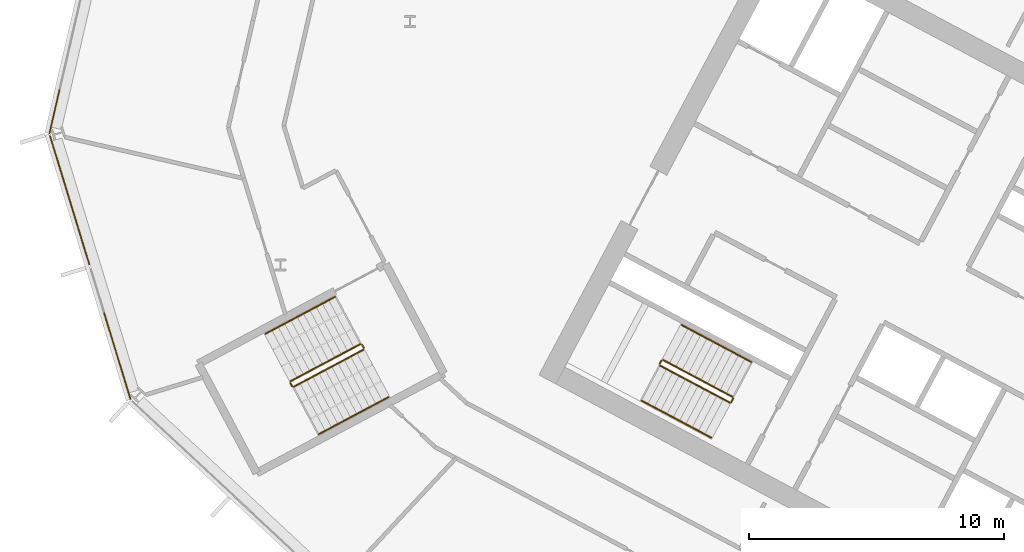
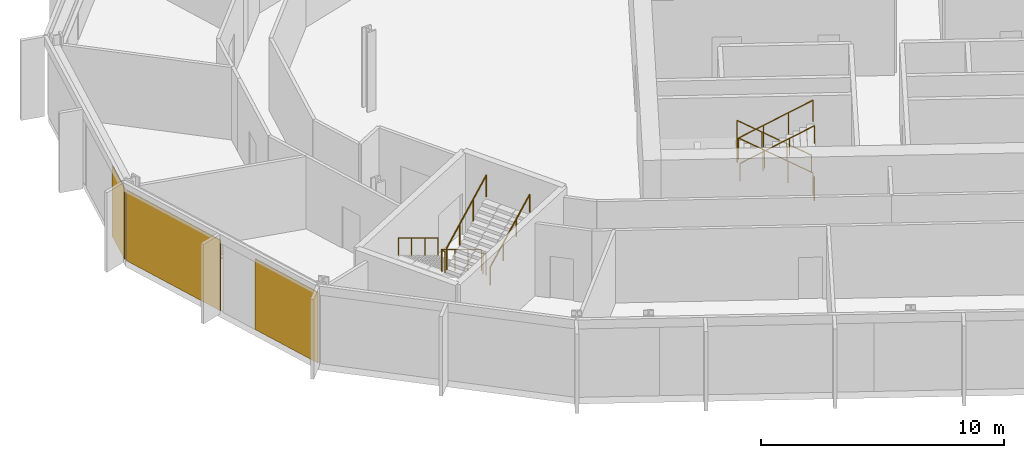
# One storey, part 21 of 28: 12 railings, 3 coverings, 2 elements without a shape of their own.
"""IFC4 building model written with IfcOpenShell, lengths in metres."""

from ifc_helpers import new_model, si_unit, direction, frame, origin, origin_2d, place, context, subcontext, project, spatial, polyline, rectangle, outline, extrude, material, layer, layer_set, type_object, element, aggregate, save


model = new_model("IFC4")

# Units and contexts
model_context = context("Model", 3, precision=1e-05, world=origin(), true_north=direction((0.0, 1.0)))
body_context = subcontext(model_context, "Body", "Model", "MODEL_VIEW")
ifc_project = project(units=[si_unit("LENGTHUNIT", "METRE"), si_unit("AREAUNIT", "SQUARE_METRE"), si_unit("VOLUMEUNIT", "CUBIC_METRE"), si_unit("PLANEANGLEUNIT", "RADIAN"), si_unit("MASSUNIT", "GRAM", prefix="KILO")], contexts=[model_context])

# Site, building, storey
site_placement = place(None, origin())
site = spatial("IfcSite", under=ifc_project, at=site_placement, CompositionType="ELEMENT")
building_placement = place(site_placement, origin())
building = spatial("IfcBuilding", under=site, at=building_placement, Name="Cormorant Relay Tower", CompositionType="ELEMENT")
storey_placement = place(building_placement, frame((0.0, 0.0, 134.199951171875)))
storey = spatial("IfcBuildingStorey", under=building, at=storey_placement, Name="L27", CompositionType="ELEMENT", Elevation=134.199951171875)

# Curtain wall, covering
ifc_material_1 = material(Name="Aluminium 6063-T6 anodised bronze", Category="aluminium")
ifc_layer_1 = layer(ifc_material_1, 0.199951171875)
ifc_layer_set_1 = layer_set([ifc_layer_1], Name="CW1 unitised bronze curtain wall with vertical fins")
curtain_wall_type = type_object("IfcCurtainWallType", Name="CW1 unitised bronze curtain wall with vertical fins", PredefinedType="NOTDEFINED", material=ifc_layer_set_1)
curtain_wall_1_placement = place(storey_placement, origin())
curtain_wall_1 = element("IfcCurtainWall", 1, at=curtain_wall_1_placement, inside=storey, type_object=curtain_wall_type, Name="CW1 curtain wall 13", PredefinedType="NOTDEFINED")
ifc_material_2 = material(Name="Pale bronze anodised aluminium insulated panel", Category="aluminium")
ifc_layer_2 = layer(ifc_material_2, 0.0400390625)
ifc_layer_set_2 = layer_set([ifc_layer_2], Name="CW1 pale bronze insulated panel 40")
covering_type = type_object("IfcCoveringType", Name="CW1 pale bronze insulated panel 40", PredefinedType="CLADDING", material=ifc_layer_set_2)
covering_1_placement = place(storey_placement, frame((-60.54150390625, 21.25537109375, 0.0), z_axis=(0.0, 0.0, 1.0), x_axis=(-0.224951054344, -0.974370064785, 0.0)))
covering_1 = element("IfcCovering", 2, at=covering_1_placement, type_object=covering_type, Name="CW1 panel S02", PredefinedType="CLADDING", context=body_context, shape_type="SweptSolid", body=[
    extrude(rectangle(XDim=1.76025390625, YDim=0.0400390625, at=origin_2d()), origin(), (0.0, 0.0, 1.0), 3.550048828125),
])
aggregate(curtain_wall_1, [covering_1])

# Curtain wall, coverings
curtain_wall_2_placement = place(storey_placement, origin())
curtain_wall_2 = element("IfcCurtainWall", 3, at=curtain_wall_2_placement, inside=storey, type_object=curtain_wall_type, Name="CW1 curtain wall 14", PredefinedType="NOTDEFINED")
covering_2_placement = place(storey_placement, frame((-59.9443359375, 17.78857421875, 0.0), z_axis=(0.0, 0.0, 1.0), x_axis=(0.292371704723, -0.956304755963, 0.0)))
covering_2 = element("IfcCovering", 4, at=covering_2_placement, type_object=covering_type, Name="CW1 panel S00", PredefinedType="CLADDING", context=body_context, shape_type="SweptSolid", body=[
    extrude(rectangle(XDim=5.28515625, YDim=0.0400390625, at=origin_2d()), origin(), (0.0, 0.0, 1.0), 3.550048828125),
])
covering_3_placement = place(storey_placement, frame((-58.081298828125, 11.6943359375, 0.0), z_axis=(0.0, 0.0, 1.0), x_axis=(0.292371704723, -0.956304755963, 0.0)))
covering_3 = element("IfcCovering", 5, at=covering_3_placement, type_object=covering_type, Name="CW1 panel S02", PredefinedType="CLADDING", context=body_context, shape_type="SweptSolid", body=[
    extrude(rectangle(XDim=3.560302734375, YDim=0.0400390625, at=origin_2d()), origin(), (0.0, 0.0, 1.0), 3.550048828125),
])
aggregate(curtain_wall_2, [covering_2, covering_3])

# Railings
ifc_material_3 = material(Name="Steel ASTM A572 Grade 50 (Fy 345 MPa)", Category="steel")
railing_type_1 = type_object("IfcRailingType", Name="Stair guard 1100", PredefinedType="GUARDRAIL", material=ifc_material_3)
railing_1_placement = place(storey_placement, frame((-33.9921875, 10.08935546875, 0.166748046875)))
element("IfcRailing", 6, at=railing_1_placement, inside=storey, type_object=railing_type_1, Name="L27 A2 stair guard 1", PredefinedType="GUARDRAIL", context=body_context, shape_type="SweptSolid", body=[
    extrude(outline(polyline([(0.022216796875, 0.00927734375), (0.00927734375, 0.022216796875), (-0.00927734375, 0.022216796875), (-0.022216796875, 0.00927734375), (-0.022216796875, -0.00927734375), (-0.00927734375, -0.022216796875), (0.00927734375, -0.022216796875), (0.022216796875, -0.00927734375), (0.022216796875, 0.00927734375)])), frame((0.0, 0.0, 1.076171875), z_axis=(-0.758713656843, 0.403434867536, 0.511462505542), x_axis=(-0.469489399267, -0.882938108802, 0.0)), (0.0, 0.0, 1.0), 3.584228515625),
    extrude(outline(polyline([(0.019287109375, 0.008056640625), (0.008056640625, 0.019287109375), (-0.008056640625, 0.019287109375), (-0.019287109375, 0.008056640625), (-0.019287109375, -0.008056640625), (-0.008056640625, -0.019287109375), (0.008056640625, -0.019287109375), (0.019287109375, -0.008056640625), (0.019287109375, 0.008056640625)])), origin(), (0.0, 0.0, 1.0), 1.052001953125),
    extrude(outline(polyline([(0.019287109375, 0.008056640625), (0.008056640625, 0.019287109375), (-0.008056640625, 0.019287109375), (-0.019287109375, 0.008056640625), (-0.019287109375, -0.008056640625), (-0.008056640625, -0.019287109375), (0.008056640625, -0.019287109375), (0.019287109375, -0.008056640625), (0.019287109375, 0.008056640625)])), frame((-0.906494140625, 0.48193359375, 0.611083984375)), (0.0, 0.0, 1.0), 1.052001953125),
    extrude(outline(polyline([(0.019287109375, 0.008056640625), (0.008056640625, 0.019287109375), (-0.008056640625, 0.019287109375), (-0.019287109375, 0.008056640625), (-0.019287109375, -0.008056640625), (-0.008056640625, -0.019287109375), (0.008056640625, -0.019287109375), (0.019287109375, -0.008056640625), (0.019287109375, 0.008056640625)])), frame((-1.81298828125, 0.964111328125, 1.22216796875)), (0.0, 0.0, 1.0), 1.052001953125),
    extrude(outline(polyline([(0.019287109375, 0.008056640625), (0.008056640625, 0.019287109375), (-0.008056640625, 0.019287109375), (-0.019287109375, 0.008056640625), (-0.019287109375, -0.008056640625), (-0.008056640625, -0.019287109375), (0.008056640625, -0.019287109375), (0.019287109375, -0.008056640625), (0.019287109375, 0.008056640625)])), frame((-2.719482421875, 1.446044921875, 1.833251953125)), (0.0, 0.0, 1.0), 1.052001953125),
])
railing_2_placement = place(storey_placement, frame((-36.779296875, 11.5146484375, 2.0)))
element("IfcRailing", 7, at=railing_2_placement, inside=storey, type_object=railing_type_1, Name="L27 A2 stair guard 2", PredefinedType="GUARDRAIL", context=body_context, shape_type="SweptSolid", body=[
    extrude(outline(polyline([(0.022216796875, 0.00927734375), (0.00927734375, 0.022216796875), (-0.00927734375, 0.022216796875), (-0.022216796875, 0.00927734375), (-0.022216796875, -0.00927734375), (-0.00927734375, -0.022216796875), (0.00927734375, -0.022216796875), (0.022216796875, -0.00927734375), (0.022216796875, 0.00927734375)])), frame((0.0, 0.0, 1.076171875), z_axis=(-0.469234640946, -0.883073525669, 0.0), x_axis=(0.883073525669, -0.469234640946, 0.0)), (0.0, 0.0, 1.0), 0.14990234375),
    extrude(outline(polyline([(0.019287109375, 0.008056640625), (0.008056640625, 0.019287109375), (-0.008056640625, 0.019287109375), (-0.019287109375, 0.008056640625), (-0.019287109375, -0.008056640625), (-0.008056640625, -0.019287109375), (0.008056640625, -0.019287109375), (0.019287109375, -0.008056640625), (0.019287109375, 0.008056640625)])), origin(), (0.0, 0.0, 1.0), 1.052001953125),
    extrude(outline(polyline([(0.019287109375, 0.008056640625), (0.008056640625, 0.019287109375), (-0.008056640625, 0.019287109375), (-0.019287109375, 0.008056640625), (-0.019287109375, -0.008056640625), (-0.008056640625, -0.019287109375), (0.008056640625, -0.019287109375), (0.019287109375, -0.008056640625), (0.019287109375, 0.008056640625)])), frame((-0.0703125, -0.13232421875, 0.0)), (0.0, 0.0, 1.0), 1.052001953125),
])
railing_3_placement = place(storey_placement, frame((-36.8291015625, 11.314697265625, 2.166748046875)))
element("IfcRailing", 8, at=railing_3_placement, inside=storey, type_object=railing_type_1, Name="L27 A2 stair guard 3", PredefinedType="GUARDRAIL", context=body_context, shape_type="SweptSolid", body=[
    extrude(outline(polyline([(0.022216796875, 0.00927734375), (0.00927734375, 0.022216796875), (-0.00927734375, 0.022216796875), (-0.022216796875, 0.00927734375), (-0.022216796875, -0.00927734375), (-0.00927734375, -0.022216796875), (0.00927734375, -0.022216796875), (0.022216796875, -0.00927734375), (0.022216796875, 0.00927734375)])), frame((0.0, 0.0, 1.076171875), z_axis=(0.758713656843, -0.403434867536, 0.511462505542), x_axis=(0.469489399267, 0.882938108802, 0.0)), (0.0, 0.0, 1.0), 3.584228515625),
    extrude(outline(polyline([(0.019287109375, 0.008056640625), (0.008056640625, 0.019287109375), (-0.008056640625, 0.019287109375), (-0.019287109375, 0.008056640625), (-0.019287109375, -0.008056640625), (-0.008056640625, -0.019287109375), (0.008056640625, -0.019287109375), (0.019287109375, -0.008056640625), (0.019287109375, 0.008056640625)])), origin(), (0.0, 0.0, 1.0), 1.052001953125),
    extrude(outline(polyline([(0.019287109375, 0.008056640625), (0.008056640625, 0.019287109375), (-0.008056640625, 0.019287109375), (-0.019287109375, 0.008056640625), (-0.019287109375, -0.008056640625), (-0.008056640625, -0.019287109375), (0.008056640625, -0.019287109375), (0.019287109375, -0.008056640625), (0.019287109375, 0.008056640625)])), frame((0.906494140625, -0.48193359375, 0.611083984375)), (0.0, 0.0, 1.0), 1.052001953125),
    extrude(outline(polyline([(0.019287109375, 0.008056640625), (0.008056640625, 0.019287109375), (-0.008056640625, 0.019287109375), (-0.019287109375, 0.008056640625), (-0.019287109375, -0.008056640625), (-0.008056640625, -0.019287109375), (0.008056640625, -0.019287109375), (0.019287109375, -0.008056640625), (0.019287109375, 0.008056640625)])), frame((1.81298828125, -0.964111328125, 1.22216796875)), (0.0, 0.0, 1.0), 1.052001953125),
    extrude(outline(polyline([(0.019287109375, 0.008056640625), (0.008056640625, 0.019287109375), (-0.008056640625, 0.019287109375), (-0.019287109375, 0.008056640625), (-0.019287109375, -0.008056640625), (-0.008056640625, -0.019287109375), (0.008056640625, -0.019287109375), (0.019287109375, -0.008056640625), (0.019287109375, 0.008056640625)])), frame((2.719482421875, -1.446044921875, 1.833251953125)), (0.0, 0.0, 1.0), 1.052001953125),
])
railing_4_placement = place(storey_placement, frame((-33.971435546875, 10.021728515625, 0.0)))
element("IfcRailing", 9, at=railing_4_placement, inside=storey, type_object=railing_type_1, Name="L27 A2 stair guard 4", PredefinedType="GUARDRAIL", context=body_context, shape_type="SweptSolid", body=[
    extrude(outline(polyline([(0.022216796875, 0.00927734375), (0.00927734375, 0.022216796875), (-0.00927734375, 0.022216796875), (-0.022216796875, 0.00927734375), (-0.022216796875, -0.00927734375), (-0.00927734375, -0.022216796875), (0.00927734375, -0.022216796875), (0.022216796875, -0.00927734375), (0.022216796875, 0.00927734375)])), frame((0.0, 0.0, 1.076171875), z_axis=(-0.470503732759, -0.882398003998, 0.0), x_axis=(0.882398003998, -0.470503732759, 0.0)), (0.0, 0.0, 1.0), 0.14990234375),
    extrude(outline(polyline([(0.019287109375, 0.008056640625), (0.008056640625, 0.019287109375), (-0.008056640625, 0.019287109375), (-0.019287109375, 0.008056640625), (-0.019287109375, -0.008056640625), (-0.008056640625, -0.019287109375), (0.008056640625, -0.019287109375), (0.019287109375, -0.008056640625), (0.019287109375, 0.008056640625)])), origin(), (0.0, 0.0, 1.0), 1.052001953125),
    extrude(outline(polyline([(0.019287109375, 0.008056640625), (0.008056640625, 0.019287109375), (-0.008056640625, 0.019287109375), (-0.019287109375, 0.008056640625), (-0.019287109375, -0.008056640625), (-0.008056640625, -0.019287109375), (0.008056640625, -0.019287109375), (0.019287109375, -0.008056640625), (0.019287109375, 0.008056640625)])), frame((-0.070556640625, -0.13232421875, 0.0)), (0.0, 0.0, 1.0), 1.052001953125),
])
railing_5_placement = place(storey_placement, frame((-48.5693359375, 12.155517578125, 0.166748046875)))
element("IfcRailing", 10, at=railing_5_placement, inside=storey, type_object=railing_type_1, Name="L27 RP1 stair guard 1", PredefinedType="GUARDRAIL", context=body_context, shape_type="SweptSolid", body=[
    extrude(outline(polyline([(0.022216796875, 0.00927734375), (0.00927734375, 0.022216796875), (-0.00927734375, 0.022216796875), (-0.022216796875, 0.00927734375), (-0.022216796875, -0.00927734375), (-0.00927734375, -0.022216796875), (0.00927734375, -0.022216796875), (0.022216796875, -0.00927734375), (0.022216796875, 0.00927734375)])), frame((0.0, 0.0, 1.076171875), z_axis=(-0.758713656843, -0.403434867536, 0.511462505542), x_axis=(0.469489399267, -0.882938108802, 0.0)), (0.0, 0.0, 1.0), 3.584228515625),
    extrude(outline(polyline([(0.019287109375, 0.008056640625), (0.008056640625, 0.019287109375), (-0.008056640625, 0.019287109375), (-0.019287109375, 0.008056640625), (-0.019287109375, -0.008056640625), (-0.008056640625, -0.019287109375), (0.008056640625, -0.019287109375), (0.019287109375, -0.008056640625), (0.019287109375, 0.008056640625)])), origin(), (0.0, 0.0, 1.0), 1.052001953125),
    extrude(outline(polyline([(0.019287109375, 0.008056640625), (0.008056640625, 0.019287109375), (-0.008056640625, 0.019287109375), (-0.019287109375, 0.008056640625), (-0.019287109375, -0.008056640625), (-0.008056640625, -0.019287109375), (0.008056640625, -0.019287109375), (0.019287109375, -0.008056640625), (0.019287109375, 0.008056640625)])), frame((-0.906494140625, -0.48193359375, 0.611083984375)), (0.0, 0.0, 1.0), 1.052001953125),
    extrude(outline(polyline([(0.019287109375, 0.008056640625), (0.008056640625, 0.019287109375), (-0.008056640625, 0.019287109375), (-0.019287109375, 0.008056640625), (-0.019287109375, -0.008056640625), (-0.008056640625, -0.019287109375), (0.008056640625, -0.019287109375), (0.019287109375, -0.008056640625), (0.019287109375, 0.008056640625)])), frame((-1.81298828125, -0.964111328125, 1.22216796875)), (0.0, 0.0, 1.0), 1.052001953125),
    extrude(outline(polyline([(0.019287109375, 0.008056640625), (0.008056640625, 0.019287109375), (-0.008056640625, 0.019287109375), (-0.019287109375, 0.008056640625), (-0.019287109375, -0.008056640625), (-0.008056640625, -0.019287109375), (0.008056640625, -0.019287109375), (0.019287109375, -0.008056640625), (0.019287109375, 0.008056640625)])), frame((-2.719482421875, -1.446044921875, 1.833251953125)), (0.0, 0.0, 1.0), 1.052001953125),
])
railing_6_placement = place(storey_placement, frame((-51.3095703125, 10.641845703125, 2.0)))
element("IfcRailing", 11, at=railing_6_placement, inside=storey, type_object=railing_type_1, Name="L27 RP1 stair guard 2", PredefinedType="GUARDRAIL", context=body_context, shape_type="SweptSolid", body=[
    extrude(outline(polyline([(0.022216796875, 0.00927734375), (0.00927734375, 0.022216796875), (-0.00927734375, 0.022216796875), (-0.022216796875, 0.00927734375), (-0.022216796875, -0.00927734375), (-0.00927734375, -0.022216796875), (0.00927734375, -0.022216796875), (0.022216796875, -0.00927734375), (0.022216796875, 0.00927734375)])), frame((0.0, 0.0, 1.076171875), z_axis=(0.469828648786, -0.882757634224, 0.0), x_axis=(0.882757634224, 0.469828648786, 0.0)), (0.0, 0.0, 1.0), 0.150146484375),
    extrude(outline(polyline([(0.019287109375, 0.008056640625), (0.008056640625, 0.019287109375), (-0.008056640625, 0.019287109375), (-0.019287109375, 0.008056640625), (-0.019287109375, -0.008056640625), (-0.008056640625, -0.019287109375), (0.008056640625, -0.019287109375), (0.019287109375, -0.008056640625), (0.019287109375, 0.008056640625)])), origin(), (0.0, 0.0, 1.0), 1.052001953125),
    extrude(outline(polyline([(0.019287109375, 0.008056640625), (0.008056640625, 0.019287109375), (-0.008056640625, 0.019287109375), (-0.019287109375, 0.008056640625), (-0.019287109375, -0.008056640625), (-0.008056640625, -0.019287109375), (0.008056640625, -0.019287109375), (0.019287109375, -0.008056640625), (0.019287109375, 0.008056640625)])), frame((0.070556640625, -0.132568359375, 0.0)), (0.0, 0.0, 1.0), 1.052001953125),
])
railing_7_placement = place(storey_placement, frame((-51.17138671875, 10.48876953125, 2.166748046875)))
element("IfcRailing", 12, at=railing_7_placement, inside=storey, type_object=railing_type_1, Name="L27 RP1 stair guard 3", PredefinedType="GUARDRAIL", context=body_context, shape_type="SweptSolid", body=[
    extrude(outline(polyline([(0.022216796875, 0.00927734375), (0.00927734375, 0.022216796875), (-0.00927734375, 0.022216796875), (-0.022216796875, 0.00927734375), (-0.022216796875, -0.00927734375), (-0.00927734375, -0.022216796875), (0.00927734375, -0.022216796875), (0.022216796875, -0.00927734375), (0.022216796875, 0.00927734375)])), frame((0.0, 0.0, 1.076171875), z_axis=(0.758734504837, 0.403377838015, 0.511476559549), x_axis=(-0.469427602063, 0.882970965786, 0.0)), (0.0, 0.0, 1.0), 3.584228515625),
    extrude(outline(polyline([(0.019287109375, 0.008056640625), (0.008056640625, 0.019287109375), (-0.008056640625, 0.019287109375), (-0.019287109375, 0.008056640625), (-0.019287109375, -0.008056640625), (-0.008056640625, -0.019287109375), (0.008056640625, -0.019287109375), (0.019287109375, -0.008056640625), (0.019287109375, 0.008056640625)])), origin(), (0.0, 0.0, 1.0), 1.052001953125),
    extrude(outline(polyline([(0.019287109375, 0.008056640625), (0.008056640625, 0.019287109375), (-0.008056640625, 0.019287109375), (-0.019287109375, 0.008056640625), (-0.019287109375, -0.008056640625), (-0.008056640625, -0.019287109375), (0.008056640625, -0.019287109375), (0.019287109375, -0.008056640625), (0.019287109375, 0.008056640625)])), frame((0.906494140625, 0.48193359375, 0.611083984375)), (0.0, 0.0, 1.0), 1.052001953125),
    extrude(outline(polyline([(0.019287109375, 0.008056640625), (0.008056640625, 0.019287109375), (-0.008056640625, 0.019287109375), (-0.019287109375, 0.008056640625), (-0.019287109375, -0.008056640625), (-0.008056640625, -0.019287109375), (0.008056640625, -0.019287109375), (0.019287109375, -0.008056640625), (0.019287109375, 0.008056640625)])), frame((1.81298828125, 0.9638671875, 1.22216796875)), (0.0, 0.0, 1.0), 1.052001953125),
    extrude(outline(polyline([(0.019287109375, 0.008056640625), (0.008056640625, 0.019287109375), (-0.008056640625, 0.019287109375), (-0.019287109375, 0.008056640625), (-0.019287109375, -0.008056640625), (-0.008056640625, -0.019287109375), (0.008056640625, -0.019287109375), (0.019287109375, -0.008056640625), (0.019287109375, 0.008056640625)])), frame((2.719482421875, 1.44580078125, 1.833251953125)), (0.0, 0.0, 1.0), 1.052001953125),
])
railing_8_placement = place(storey_placement, frame((-48.501708984375, 12.134765625, 0.0)))
element("IfcRailing", 13, at=railing_8_placement, inside=storey, type_object=railing_type_1, Name="L27 RP1 stair guard 4", PredefinedType="GUARDRAIL", context=body_context, shape_type="SweptSolid", body=[
    extrude(outline(polyline([(0.022216796875, 0.00927734375), (0.00927734375, 0.022216796875), (-0.00927734375, 0.022216796875), (-0.022216796875, 0.00927734375), (-0.022216796875, -0.00927734375), (-0.00927734375, -0.022216796875), (0.00927734375, -0.022216796875), (0.022216796875, -0.00927734375), (0.022216796875, 0.00927734375)])), frame((0.0, 0.0, 1.076171875), z_axis=(0.46856034887, -0.8834314911, 0.0), x_axis=(0.8834314911, 0.46856034887, 0.0)), (0.0, 0.0, 1.0), 0.150146484375),
    extrude(outline(polyline([(0.019287109375, 0.008056640625), (0.008056640625, 0.019287109375), (-0.008056640625, 0.019287109375), (-0.019287109375, 0.008056640625), (-0.019287109375, -0.008056640625), (-0.008056640625, -0.019287109375), (0.008056640625, -0.019287109375), (0.019287109375, -0.008056640625), (0.019287109375, 0.008056640625)])), origin(), (0.0, 0.0, 1.0), 1.052001953125),
    extrude(outline(polyline([(0.019287109375, 0.008056640625), (0.008056640625, 0.019287109375), (-0.008056640625, 0.019287109375), (-0.019287109375, 0.008056640625), (-0.019287109375, -0.008056640625), (-0.008056640625, -0.019287109375), (0.008056640625, -0.019287109375), (0.019287109375, -0.008056640625), (0.019287109375, 0.008056640625)])), frame((0.0703125, -0.132568359375, 0.0)), (0.0, 0.0, 1.0), 1.052001953125),
])
ifc_material_4 = material(Name="Steel ASTM A572 Grade 50 (Fy 345 MPa)", Category="steel")
railing_type_2 = type_object("IfcRailingType", Name="Stair handrail 900", PredefinedType="HANDRAIL", material=ifc_material_4)
railing_9_placement = place(storey_placement, frame((-33.264404296875, 11.4580078125, 0.166748046875)))
element("IfcRailing", 14, at=railing_9_placement, inside=storey, type_object=railing_type_2, Name="L27 A2 stair handrail 1", PredefinedType="HANDRAIL", context=body_context, shape_type="SweptSolid", body=[
    extrude(outline(polyline([(0.022216796875, 0.00927734375), (0.00927734375, 0.022216796875), (-0.00927734375, 0.022216796875), (-0.022216796875, 0.00927734375), (-0.022216796875, -0.00927734375), (-0.00927734375, -0.022216796875), (0.00927734375, -0.022216796875), (0.022216796875, -0.00927734375), (0.022216796875, 0.00927734375)])), frame((0.0, 0.0, 0.8759765625), z_axis=(-0.758734504837, 0.403377838015, 0.511476559549), x_axis=(-0.469427602063, -0.882970965786, 0.0)), (0.0, 0.0, 1.0), 3.584228515625),
    extrude(outline(polyline([(0.019287109375, 0.008056640625), (0.008056640625, 0.019287109375), (-0.008056640625, 0.019287109375), (-0.019287109375, 0.008056640625), (-0.019287109375, -0.008056640625), (-0.008056640625, -0.019287109375), (0.008056640625, -0.019287109375), (0.019287109375, -0.008056640625), (0.019287109375, 0.008056640625)])), origin(), (0.0, 0.0, 1.0), 0.851806640625),
    extrude(outline(polyline([(0.019287109375, 0.008056640625), (0.008056640625, 0.019287109375), (-0.008056640625, 0.019287109375), (-0.019287109375, 0.008056640625), (-0.019287109375, -0.008056640625), (-0.008056640625, -0.019287109375), (0.008056640625, -0.019287109375), (0.019287109375, -0.008056640625), (0.019287109375, 0.008056640625)])), frame((-0.906494140625, 0.48193359375, 0.611083984375)), (0.0, 0.0, 1.0), 0.851806640625),
    extrude(outline(polyline([(0.019287109375, 0.008056640625), (0.008056640625, 0.019287109375), (-0.008056640625, 0.019287109375), (-0.019287109375, 0.008056640625), (-0.019287109375, -0.008056640625), (-0.008056640625, -0.019287109375), (0.008056640625, -0.019287109375), (0.019287109375, -0.008056640625), (0.019287109375, 0.008056640625)])), frame((-1.81298828125, 0.9638671875, 1.22216796875)), (0.0, 0.0, 1.0), 0.851806640625),
    extrude(outline(polyline([(0.019287109375, 0.008056640625), (0.008056640625, 0.019287109375), (-0.008056640625, 0.019287109375), (-0.019287109375, 0.008056640625), (-0.019287109375, -0.008056640625), (-0.008056640625, -0.019287109375), (0.008056640625, -0.019287109375), (0.019287109375, -0.008056640625), (0.019287109375, 0.008056640625)])), frame((-2.719482421875, 1.44580078125, 1.833251953125)), (0.0, 0.0, 1.0), 0.851806640625),
])
railing_10_placement = place(storey_placement, frame((-37.556640625, 9.946044921875, 2.166748046875)))
element("IfcRailing", 15, at=railing_10_placement, inside=storey, type_object=railing_type_2, Name="L27 A2 stair handrail 2", PredefinedType="HANDRAIL", context=body_context, shape_type="SweptSolid", body=[
    extrude(outline(polyline([(0.022216796875, 0.00927734375), (0.00927734375, 0.022216796875), (-0.00927734375, 0.022216796875), (-0.022216796875, 0.00927734375), (-0.022216796875, -0.00927734375), (-0.00927734375, -0.022216796875), (0.00927734375, -0.022216796875), (0.022216796875, -0.00927734375), (0.022216796875, 0.00927734375)])), frame((0.0, 0.0, 0.8759765625), z_axis=(0.758713656843, -0.403434867536, 0.511462505542), x_axis=(0.469489399267, 0.882938108802, 0.0)), (0.0, 0.0, 1.0), 3.584228515625),
    extrude(outline(polyline([(0.019287109375, 0.008056640625), (0.008056640625, 0.019287109375), (-0.008056640625, 0.019287109375), (-0.019287109375, 0.008056640625), (-0.019287109375, -0.008056640625), (-0.008056640625, -0.019287109375), (0.008056640625, -0.019287109375), (0.019287109375, -0.008056640625), (0.019287109375, 0.008056640625)])), origin(), (0.0, 0.0, 1.0), 0.851806640625),
    extrude(outline(polyline([(0.019287109375, 0.008056640625), (0.008056640625, 0.019287109375), (-0.008056640625, 0.019287109375), (-0.019287109375, 0.008056640625), (-0.019287109375, -0.008056640625), (-0.008056640625, -0.019287109375), (0.008056640625, -0.019287109375), (0.019287109375, -0.008056640625), (0.019287109375, 0.008056640625)])), frame((0.906494140625, -0.48193359375, 0.611083984375)), (0.0, 0.0, 1.0), 0.851806640625),
    extrude(outline(polyline([(0.019287109375, 0.008056640625), (0.008056640625, 0.019287109375), (-0.008056640625, 0.019287109375), (-0.019287109375, 0.008056640625), (-0.019287109375, -0.008056640625), (-0.008056640625, -0.019287109375), (0.008056640625, -0.019287109375), (0.019287109375, -0.008056640625), (0.019287109375, 0.008056640625)])), frame((1.81298828125, -0.964111328125, 1.22216796875)), (0.0, 0.0, 1.0), 0.851806640625),
    extrude(outline(polyline([(0.019287109375, 0.008056640625), (0.008056640625, 0.019287109375), (-0.008056640625, 0.019287109375), (-0.019287109375, 0.008056640625), (-0.019287109375, -0.008056640625), (-0.008056640625, -0.019287109375), (0.008056640625, -0.019287109375), (0.019287109375, -0.008056640625), (0.019287109375, 0.008056640625)])), frame((2.719482421875, -1.446044921875, 1.833251953125)), (0.0, 0.0, 1.0), 0.851806640625),
])
railing_11_placement = place(storey_placement, frame((-49.55517578125, 14.009521484375, 0.166748046875)))
element("IfcRailing", 16, at=railing_11_placement, inside=storey, type_object=railing_type_2, Name="L27 RP1 stair handrail 1", PredefinedType="HANDRAIL", context=body_context, shape_type="SweptSolid", body=[
    extrude(outline(polyline([(0.022216796875, 0.00927734375), (0.00927734375, 0.022216796875), (-0.00927734375, 0.022216796875), (-0.022216796875, 0.00927734375), (-0.022216796875, -0.00927734375), (-0.00927734375, -0.022216796875), (0.00927734375, -0.022216796875), (0.022216796875, -0.00927734375), (0.022216796875, 0.00927734375)])), frame((0.0, 0.0, 0.8759765625), z_axis=(-0.758734504837, -0.403377838015, 0.511476559549), x_axis=(0.469427602063, -0.882970965786, 0.0)), (0.0, 0.0, 1.0), 3.584228515625),
    extrude(outline(polyline([(0.019287109375, 0.008056640625), (0.008056640625, 0.019287109375), (-0.008056640625, 0.019287109375), (-0.019287109375, 0.008056640625), (-0.019287109375, -0.008056640625), (-0.008056640625, -0.019287109375), (0.008056640625, -0.019287109375), (0.019287109375, -0.008056640625), (0.019287109375, 0.008056640625)])), origin(), (0.0, 0.0, 1.0), 0.851806640625),
    extrude(outline(polyline([(0.019287109375, 0.008056640625), (0.008056640625, 0.019287109375), (-0.008056640625, 0.019287109375), (-0.019287109375, 0.008056640625), (-0.019287109375, -0.008056640625), (-0.008056640625, -0.019287109375), (0.008056640625, -0.019287109375), (0.019287109375, -0.008056640625), (0.019287109375, 0.008056640625)])), frame((-0.906494140625, -0.48193359375, 0.611083984375)), (0.0, 0.0, 1.0), 0.851806640625),
    extrude(outline(polyline([(0.019287109375, 0.008056640625), (0.008056640625, 0.019287109375), (-0.008056640625, 0.019287109375), (-0.019287109375, 0.008056640625), (-0.019287109375, -0.008056640625), (-0.008056640625, -0.019287109375), (0.008056640625, -0.019287109375), (0.019287109375, -0.008056640625), (0.019287109375, 0.008056640625)])), frame((-1.81298828125, -0.9638671875, 1.22216796875)), (0.0, 0.0, 1.0), 0.851806640625),
    extrude(outline(polyline([(0.019287109375, 0.008056640625), (0.008056640625, 0.019287109375), (-0.008056640625, 0.019287109375), (-0.019287109375, 0.008056640625), (-0.019287109375, -0.008056640625), (-0.008056640625, -0.019287109375), (0.008056640625, -0.019287109375), (0.019287109375, -0.008056640625), (0.019287109375, 0.008056640625)])), frame((-2.719482421875, -1.44580078125, 1.833251953125)), (0.0, 0.0, 1.0), 0.851806640625),
])
railing_12_placement = place(storey_placement, frame((-50.185546875, 8.634521484375, 2.166748046875)))
element("IfcRailing", 17, at=railing_12_placement, inside=storey, type_object=railing_type_2, Name="L27 RP1 stair handrail 2", PredefinedType="HANDRAIL", context=body_context, shape_type="SweptSolid", body=[
    extrude(outline(polyline([(0.022216796875, 0.00927734375), (0.00927734375, 0.022216796875), (-0.00927734375, 0.022216796875), (-0.022216796875, 0.00927734375), (-0.022216796875, -0.00927734375), (-0.00927734375, -0.022216796875), (0.00927734375, -0.022216796875), (0.022216796875, -0.00927734375), (0.022216796875, 0.00927734375)])), frame((0.0, 0.0, 0.8759765625), z_axis=(0.758713656843, 0.403434867536, 0.511462505542), x_axis=(-0.469489399267, 0.882938108802, 0.0)), (0.0, 0.0, 1.0), 3.584228515625),
    extrude(outline(polyline([(0.019287109375, 0.008056640625), (0.008056640625, 0.019287109375), (-0.008056640625, 0.019287109375), (-0.019287109375, 0.008056640625), (-0.019287109375, -0.008056640625), (-0.008056640625, -0.019287109375), (0.008056640625, -0.019287109375), (0.019287109375, -0.008056640625), (0.019287109375, 0.008056640625)])), origin(), (0.0, 0.0, 1.0), 0.851806640625),
    extrude(outline(polyline([(0.019287109375, 0.008056640625), (0.008056640625, 0.019287109375), (-0.008056640625, 0.019287109375), (-0.019287109375, 0.008056640625), (-0.019287109375, -0.008056640625), (-0.008056640625, -0.019287109375), (0.008056640625, -0.019287109375), (0.019287109375, -0.008056640625), (0.019287109375, 0.008056640625)])), frame((0.906494140625, 0.48193359375, 0.611083984375)), (0.0, 0.0, 1.0), 0.851806640625),
    extrude(outline(polyline([(0.019287109375, 0.008056640625), (0.008056640625, 0.019287109375), (-0.008056640625, 0.019287109375), (-0.019287109375, 0.008056640625), (-0.019287109375, -0.008056640625), (-0.008056640625, -0.019287109375), (0.008056640625, -0.019287109375), (0.019287109375, -0.008056640625), (0.019287109375, 0.008056640625)])), frame((1.81298828125, 0.964111328125, 1.22216796875)), (0.0, 0.0, 1.0), 0.851806640625),
    extrude(outline(polyline([(0.019287109375, 0.008056640625), (0.008056640625, 0.019287109375), (-0.008056640625, 0.019287109375), (-0.019287109375, 0.008056640625), (-0.019287109375, -0.008056640625), (-0.008056640625, -0.019287109375), (0.008056640625, -0.019287109375), (0.019287109375, -0.008056640625), (0.019287109375, 0.008056640625)])), frame((2.719482421875, 1.446044921875, 1.833251953125)), (0.0, 0.0, 1.0), 0.851806640625),
])

save(model, "model.ifc")
